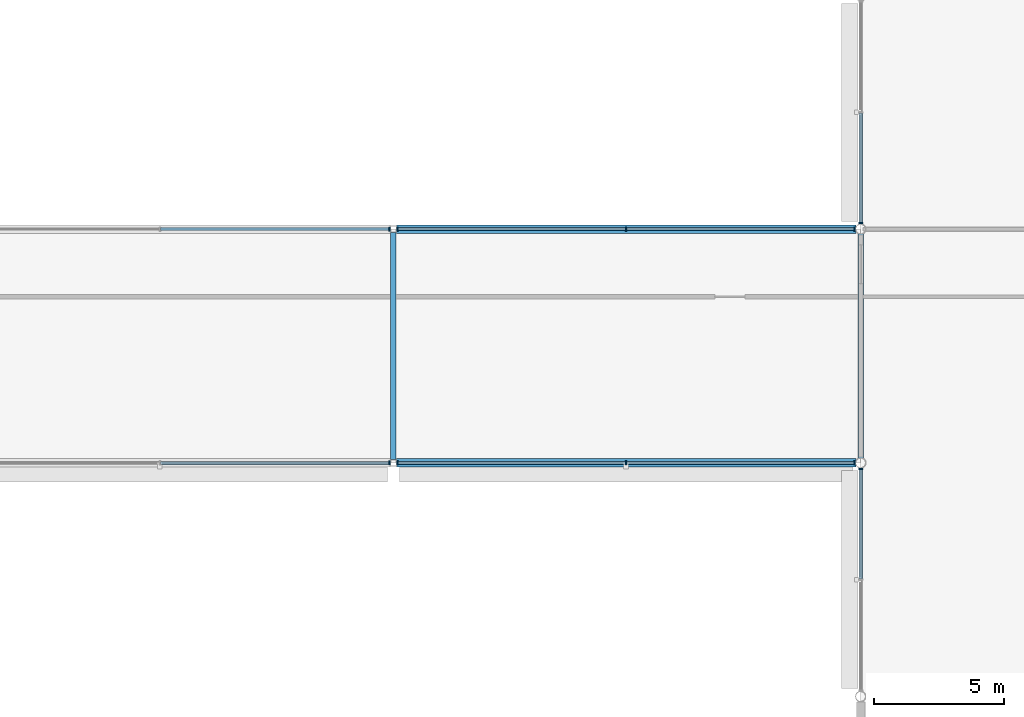
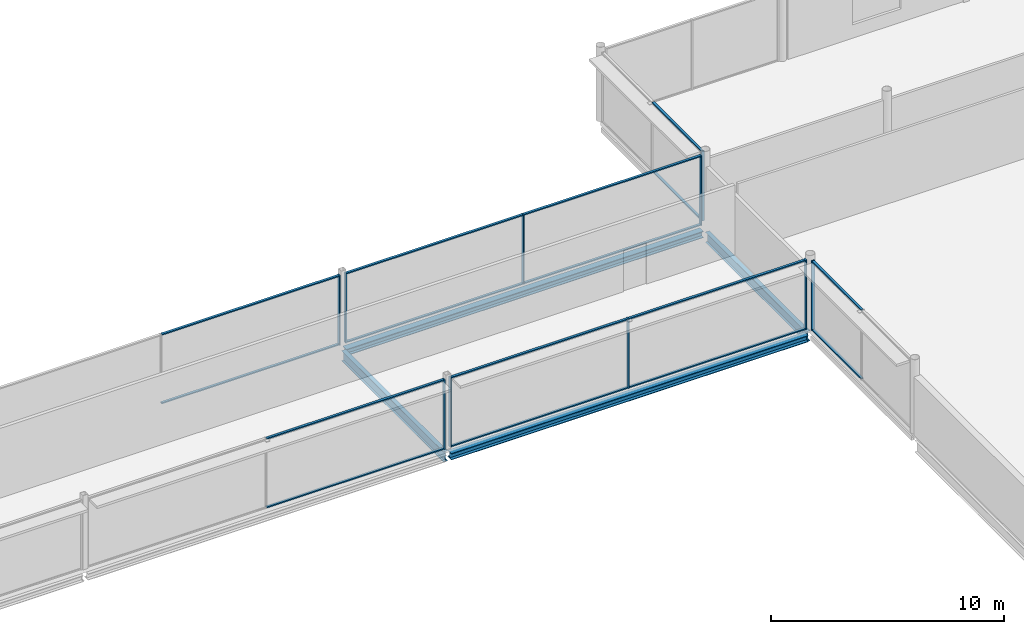
# One storey, part 47 of 96: 26 members, 4 beams, 6 elements without a shape of their own.
"""IFC4 building model written with IfcOpenShell, lengths in metres."""

from ifc_helpers import new_model, si_unit, direction, frame, origin, origin_2d, place, context, subcontext, project, spatial, rectangle, i_section, extrude, material, layer, layer_set, material_profile, profile_set, type_object, element, aggregate, save


model = new_model("IFC4")

# Units and contexts
model_context = context("Model", 3, precision=1e-05, world=origin(), true_north=direction((0.0, 1.0)))
body_context = subcontext(model_context, "Body", "Model", "MODEL_VIEW")
ifc_project = project(units=[si_unit("LENGTHUNIT", "METRE"), si_unit("AREAUNIT", "SQUARE_METRE"), si_unit("VOLUMEUNIT", "CUBIC_METRE"), si_unit("PLANEANGLEUNIT", "RADIAN"), si_unit("MASSUNIT", "GRAM", prefix="KILO")], contexts=[model_context])

# Site, building, storey
site_placement = place(None, origin())
site = spatial("IfcSite", under=ifc_project, at=site_placement, CompositionType="ELEMENT")
building_placement = place(site_placement, origin())
building = spatial("IfcBuilding", under=site, at=building_placement, Name="Kisiwana Market Hall", CompositionType="ELEMENT")
storey_placement = place(building_placement, frame((0.0, 0.0, 25.5)))
storey = spatial("IfcBuildingStorey", under=building, at=storey_placement, Name="L05", CompositionType="ELEMENT", Elevation=25.5)

# Beams
ifc_material_1 = material(Name="Steel S355", Category="steel")
ifc_material_profile_1 = material_profile(ifc_material_1, i_section(OverallWidth=0.209228515625, OverallDepth=0.533203125, WebThickness=0.010009765625, FlangeThickness=0.015625, at=origin_2d()), Name="UB 533x210x92")
ifc_profile_set_1 = profile_set([ifc_material_profile_1], Name="Steel S355")
beam_type_1 = type_object("IfcBeamType", Name="BM-GIRD-UB533", PredefinedType="BEAM", material=ifc_profile_set_1)
beam_1_placement = place(storey_placement, frame((135.0, 93.12109375, -0.531494140625), z_axis=(0.0, 1.0, 0.0), x_axis=(-1.0, 0.0, 0.0)))
element("IfcBeam", 1, at=beam_1_placement, inside=storey, type_object=beam_type_1, Name="Primary girder B-1548", PredefinedType="BEAM", context=body_context, shape_type="SweptSolid", body=[
    extrude(i_section(OverallWidth=0.209228515625, OverallDepth=0.533203125, WebThickness=0.010009765625, FlangeThickness=0.015625, at=origin_2d()), origin(), (0.0, 0.0, 1.0), 8.7578125),
])
beam_2_placement = place(storey_placement, frame((153.0, 93.18017578125, -0.58154296875), z_axis=(0.0, 1.0, 0.0), x_axis=(-1.0, 0.0, 0.0)))
element("IfcBeam", 2, at=beam_2_placement, inside=storey, type_object=beam_type_1, Name="Primary girder B-1550", PredefinedType="BEAM", context=body_context, shape_type="SweptSolid", body=[
    extrude(i_section(OverallWidth=0.209228515625, OverallDepth=0.533203125, WebThickness=0.010009765625, FlangeThickness=0.015625, at=origin_2d()), origin(), (0.0, 0.0, 1.0), 8.6396484375),
])
ifc_material_2 = material(Name="Steel S355", Category="steel")
ifc_material_profile_2 = material_profile(ifc_material_2, i_section(OverallWidth=0.314453125, OverallDepth=0.33984375, WebThickness=0.01904296875, FlangeThickness=0.031494140625, at=origin_2d()), Name="UC 305x305x198")
ifc_profile_set_2 = profile_set([ifc_material_profile_2], Name="Steel S355")
beam_type_2 = type_object("IfcBeamType", Name="BM-SKYBR-CHORD", PredefinedType="BEAM", material=ifc_profile_set_2)
for number, where, z_axis, x_axis, name in (
    (3, (135.12109375, 93.0, -0.43505859375), (1.0, 0.0, 0.0), (0.0, 1.0, 0.0), "Floor beam B-1646"),
    (4, (135.12109375, 102.0, -0.43505859375), (1.0, 0.0, 0.0), (0.0, 1.0, 0.0), "Floor beam B-1656"),
):
    element("IfcBeam", number, at=place(storey_placement, frame(where, z_axis=z_axis, x_axis=x_axis)), inside=storey, type_object=beam_type_2, Name=name, PredefinedType="BEAM", context=body_context, shape_type="SweptSolid", body=[
        extrude(i_section(OverallWidth=0.314453125, OverallDepth=0.33984375, WebThickness=0.01904296875, FlangeThickness=0.031494140625, at=origin_2d()), origin(), (0.0, 0.0, 1.0), 17.696533203125),
    ])

# Curtain wall, member
ifc_material_3 = material(Name="Double-glazed solar-control low-E IGU", Category="glass")
ifc_layer = layer(ifc_material_3, 0.159912109375)
ifc_layer_set = layer_set([ifc_layer], Name="CW-ZNA-EW-8200")
curtain_wall_type = type_object("IfcCurtainWallType", Name="CW-ZNA-EW-8200", PredefinedType="USERDEFINED", material=ifc_layer_set)
curtain_wall_1_placement = place(storey_placement, origin())
curtain_wall_1 = element("IfcCurtainWall", 5, at=curtain_wall_1_placement, inside=storey, type_object=curtain_wall_type, Name="Unitised curtain wall CW-148 (L05)", ObjectType="UNITISED CURTAIN WALL", PredefinedType="USERDEFINED")
ifc_material_4 = material(Name="Aluminium alloy 6063-T6", Category="aluminium")
ifc_material_profile_3 = material_profile(ifc_material_4, rectangle(XDim=0.06005859375, YDim=0.159912109375, at=origin_2d()), Name="ALU MULLION 60x160")
ifc_profile_set_3 = profile_set([ifc_material_profile_3], Name="Aluminium alloy 6063-T6")
member_type_1 = type_object("IfcMemberType", Name="CW-MULL-60x160", PredefinedType="MULLION", material=ifc_profile_set_3)
member_1_placement = place(storey_placement, frame((134.844970703125, 93.0, 0.0), z_axis=(0.0, 0.0, 1.0), x_axis=(1.0, 0.0, 0.0)))
member_1 = element("IfcMember", 6, at=member_1_placement, type_object=member_type_1, Name="CW-148 mullion 3", PredefinedType="MULLION", context=body_context, shape_type="SweptSolid", body=[
    extrude(rectangle(XDim=0.06005859375, YDim=0.159912109375, at=origin_2d()), origin(), (0.0, 0.0, 1.0), 3.655029296875),
])

# Curtain wall, members
curtain_wall_2_placement = place(storey_placement, origin())
curtain_wall_2 = element("IfcCurtainWall", 7, at=curtain_wall_2_placement, inside=storey, type_object=curtain_wall_type, Name="Unitised curtain wall CW-149 (L05)", ObjectType="UNITISED CURTAIN WALL", PredefinedType="USERDEFINED")
member_2_placement = place(storey_placement, frame((135.155029296875, 93.0, 0.0), z_axis=(0.0, 0.0, 1.0), x_axis=(1.0, 0.0, 0.0)))
member_2 = element("IfcMember", 8, at=member_2_placement, type_object=member_type_1, Name="CW-149 mullion 1", PredefinedType="MULLION", context=body_context, shape_type="SweptSolid", body=[
    extrude(rectangle(XDim=0.06005859375, YDim=0.159912109375, at=origin_2d()), origin(), (0.0, 0.0, 1.0), 3.655029296875),
])
member_3_placement = place(storey_placement, frame((143.9609375, 93.0, 0.0), z_axis=(0.0, 0.0, 1.0), x_axis=(1.0, 0.0, 0.0)))
member_3 = element("IfcMember", 9, at=member_3_placement, type_object=member_type_1, Name="CW-149 mullion 2", PredefinedType="MULLION", context=body_context, shape_type="SweptSolid", body=[
    extrude(rectangle(XDim=0.06005859375, YDim=0.159912109375, at=origin_2d()), origin(), (0.0, 0.0, 1.0), 3.655029296875),
])
member_4_placement = place(storey_placement, frame((152.766845703125, 93.0, 0.0), z_axis=(0.0, 0.0, 1.0), x_axis=(1.0, 0.0, 0.0)))
member_4 = element("IfcMember", 10, at=member_4_placement, type_object=member_type_1, Name="CW-149 mullion 3", PredefinedType="MULLION", context=body_context, shape_type="SweptSolid", body=[
    extrude(rectangle(XDim=0.06005859375, YDim=0.159912109375, at=origin_2d()), origin(), (0.0, 0.0, 1.0), 3.655029296875),
])

# Curtain wall, member
curtain_wall_3_placement = place(storey_placement, origin())
curtain_wall_3 = element("IfcCurtainWall", 11, at=curtain_wall_3_placement, inside=storey, type_object=curtain_wall_type, Name="Unitised curtain wall CW-154 (L05)", ObjectType="UNITISED CURTAIN WALL", PredefinedType="USERDEFINED")
member_5_placement = place(storey_placement, frame((134.844970703125, 102.0, 0.0), z_axis=(0.0, 0.0, 1.0), x_axis=(1.0, 0.0, 0.0)))
member_5 = element("IfcMember", 12, at=member_5_placement, type_object=member_type_1, Name="CW-154 mullion 3", PredefinedType="MULLION", context=body_context, shape_type="SweptSolid", body=[
    extrude(rectangle(XDim=0.06005859375, YDim=0.159912109375, at=origin_2d()), origin(), (0.0, 0.0, 1.0), 3.655029296875),
])

# Curtain wall, members
curtain_wall_4_placement = place(storey_placement, origin())
curtain_wall_4 = element("IfcCurtainWall", 13, at=curtain_wall_4_placement, inside=storey, type_object=curtain_wall_type, Name="Unitised curtain wall CW-155 (L05)", ObjectType="UNITISED CURTAIN WALL", PredefinedType="USERDEFINED")
member_6_placement = place(storey_placement, frame((135.155029296875, 102.0, 0.0), z_axis=(0.0, 0.0, 1.0), x_axis=(1.0, 0.0, 0.0)))
member_6 = element("IfcMember", 14, at=member_6_placement, type_object=member_type_1, Name="CW-155 mullion 1", PredefinedType="MULLION", context=body_context, shape_type="SweptSolid", body=[
    extrude(rectangle(XDim=0.06005859375, YDim=0.159912109375, at=origin_2d()), origin(), (0.0, 0.0, 1.0), 3.655029296875),
])
member_7_placement = place(storey_placement, frame((143.9609375, 102.0, 0.0), z_axis=(0.0, 0.0, 1.0), x_axis=(1.0, 0.0, 0.0)))
member_7 = element("IfcMember", 15, at=member_7_placement, type_object=member_type_1, Name="CW-155 mullion 2", PredefinedType="MULLION", context=body_context, shape_type="SweptSolid", body=[
    extrude(rectangle(XDim=0.06005859375, YDim=0.159912109375, at=origin_2d()), origin(), (0.0, 0.0, 1.0), 3.655029296875),
])
member_8_placement = place(storey_placement, frame((152.766845703125, 102.0, 0.0), z_axis=(0.0, 0.0, 1.0), x_axis=(1.0, 0.0, 0.0)))
member_8 = element("IfcMember", 16, at=member_8_placement, type_object=member_type_1, Name="CW-155 mullion 3", PredefinedType="MULLION", context=body_context, shape_type="SweptSolid", body=[
    extrude(rectangle(XDim=0.06005859375, YDim=0.159912109375, at=origin_2d()), origin(), (0.0, 0.0, 1.0), 3.655029296875),
])

# Curtain wall, member
curtain_wall_5_placement = place(storey_placement, origin())
curtain_wall_5 = element("IfcCurtainWall", 17, at=curtain_wall_5_placement, inside=storey, type_object=curtain_wall_type, Name="Unitised curtain wall CW-166 (L05)", ObjectType="UNITISED CURTAIN WALL", PredefinedType="USERDEFINED")
member_9_placement = place(storey_placement, frame((153.0, 92.766845703125, 0.0), z_axis=(0.0, 0.0, 1.0), x_axis=(0.0, 1.0, 0.0)))
member_9 = element("IfcMember", 18, at=member_9_placement, type_object=member_type_1, Name="CW-166 mullion 3", PredefinedType="MULLION", context=body_context, shape_type="SweptSolid", body=[
    extrude(rectangle(XDim=0.06005859375, YDim=0.159912109375, at=origin_2d()), origin(), (0.0, 0.0, 1.0), 3.655029296875),
])

curtain_wall_6_placement = place(storey_placement, origin())
curtain_wall_6 = element("IfcCurtainWall", 19, at=curtain_wall_6_placement, inside=storey, type_object=curtain_wall_type, Name="Unitised curtain wall CW-167 (L05)", ObjectType="UNITISED CURTAIN WALL", PredefinedType="USERDEFINED")
member_10_placement = place(storey_placement, frame((153.0, 102.233154296875, 0.0), z_axis=(0.0, 0.0, 1.0), x_axis=(0.0, 1.0, 0.0)))
member_10 = element("IfcMember", 20, at=member_10_placement, type_object=member_type_1, Name="CW-167 mullion 1", PredefinedType="MULLION", context=body_context, shape_type="SweptSolid", body=[
    extrude(rectangle(XDim=0.06005859375, YDim=0.159912109375, at=origin_2d()), origin(), (0.0, 0.0, 1.0), 3.655029296875),
])

# Member
ifc_material_5 = material(Name="Aluminium alloy 6063-T6", Category="aluminium")
ifc_material_profile_4 = material_profile(ifc_material_5, rectangle(XDim=0.1201171875, YDim=0.06005859375, at=origin_2d()), Name="ALU TRANSOM 60x120")
ifc_profile_set_4 = profile_set([ifc_material_profile_4], Name="Aluminium alloy 6063-T6")
member_type_2 = type_object("IfcMemberType", Name="CW-TRAN-60x120", PredefinedType="USERDEFINED", material=ifc_profile_set_4)
member_11_placement = place(storey_placement, frame((126.030029296875, 93.0, 0.030029296875), z_axis=(1.0, 0.0, 0.0), x_axis=(0.0, 1.0, 0.0)))
member_11 = element("IfcMember", 21, at=member_11_placement, type_object=member_type_2, Name="CW-148 transom 2.1", ObjectType="TRANSOM", PredefinedType="USERDEFINED", context=body_context, shape_type="SweptSolid", body=[
    extrude(rectangle(XDim=0.1201171875, YDim=0.06005859375, at=origin_2d()), origin(), (0.0, 0.0, 1.0), 8.784912109375),
])

member_12_placement = place(storey_placement, frame((126.030029296875, 93.0, 3.625), z_axis=(1.0, 0.0, 0.0), x_axis=(0.0, 1.0, 0.0)))
member_12 = element("IfcMember", 22, at=member_12_placement, type_object=member_type_2, Name="CW-148 transom 2.2", ObjectType="TRANSOM", PredefinedType="USERDEFINED", context=body_context, shape_type="SweptSolid", body=[
    extrude(rectangle(XDim=0.1201171875, YDim=0.06005859375, at=origin_2d()), origin(), (0.0, 0.0, 1.0), 8.784912109375),
])

aggregate(curtain_wall_1, [member_1, member_11, member_12])

member_13_placement = place(storey_placement, frame((135.18505859375, 93.0, 0.030029296875), z_axis=(1.0, 0.0, 0.0), x_axis=(0.0, 1.0, 0.0)))
member_13 = element("IfcMember", 23, at=member_13_placement, type_object=member_type_2, Name="CW-149 transom 1.1", ObjectType="TRANSOM", PredefinedType="USERDEFINED", context=body_context, shape_type="SweptSolid", body=[
    extrude(rectangle(XDim=0.1201171875, YDim=0.06005859375, at=origin_2d()), origin(), (0.0, 0.0, 1.0), 8.745849609375),
])

member_14_placement = place(storey_placement, frame((135.18505859375, 93.0, 3.625), z_axis=(1.0, 0.0, 0.0), x_axis=(0.0, 1.0, 0.0)))
member_14 = element("IfcMember", 24, at=member_14_placement, type_object=member_type_2, Name="CW-149 transom 1.2", ObjectType="TRANSOM", PredefinedType="USERDEFINED", context=body_context, shape_type="SweptSolid", body=[
    extrude(rectangle(XDim=0.1201171875, YDim=0.06005859375, at=origin_2d()), origin(), (0.0, 0.0, 1.0), 8.745849609375),
])

member_15_placement = place(storey_placement, frame((143.990966796875, 93.0, 0.030029296875), z_axis=(1.0, 0.0, 0.0), x_axis=(0.0, 1.0, 0.0)))
member_15 = element("IfcMember", 25, at=member_15_placement, type_object=member_type_2, Name="CW-149 transom 2.1", ObjectType="TRANSOM", PredefinedType="USERDEFINED", context=body_context, shape_type="SweptSolid", body=[
    extrude(rectangle(XDim=0.1201171875, YDim=0.06005859375, at=origin_2d()), origin(), (0.0, 0.0, 1.0), 8.745849609375),
])

member_16_placement = place(storey_placement, frame((143.990966796875, 93.0, 3.625), z_axis=(1.0, 0.0, 0.0), x_axis=(0.0, 1.0, 0.0)))
member_16 = element("IfcMember", 26, at=member_16_placement, type_object=member_type_2, Name="CW-149 transom 2.2", ObjectType="TRANSOM", PredefinedType="USERDEFINED", context=body_context, shape_type="SweptSolid", body=[
    extrude(rectangle(XDim=0.1201171875, YDim=0.06005859375, at=origin_2d()), origin(), (0.0, 0.0, 1.0), 8.745849609375),
])

aggregate(curtain_wall_2, [member_2, member_3, member_4, member_13, member_14, member_15, member_16])

member_17_placement = place(storey_placement, frame((126.030029296875, 102.0, 0.030029296875), z_axis=(1.0, 0.0, 0.0), x_axis=(0.0, 1.0, 0.0)))
member_17 = element("IfcMember", 27, at=member_17_placement, type_object=member_type_2, Name="CW-154 transom 2.1", ObjectType="TRANSOM", PredefinedType="USERDEFINED", context=body_context, shape_type="SweptSolid", body=[
    extrude(rectangle(XDim=0.1201171875, YDim=0.06005859375, at=origin_2d()), origin(), (0.0, 0.0, 1.0), 8.784912109375),
])

member_18_placement = place(storey_placement, frame((126.030029296875, 102.0, 3.625), z_axis=(1.0, 0.0, 0.0), x_axis=(0.0, 1.0, 0.0)))
member_18 = element("IfcMember", 28, at=member_18_placement, type_object=member_type_2, Name="CW-154 transom 2.2", ObjectType="TRANSOM", PredefinedType="USERDEFINED", context=body_context, shape_type="SweptSolid", body=[
    extrude(rectangle(XDim=0.1201171875, YDim=0.06005859375, at=origin_2d()), origin(), (0.0, 0.0, 1.0), 8.784912109375),
])

aggregate(curtain_wall_3, [member_5, member_17, member_18])

member_19_placement = place(storey_placement, frame((135.18505859375, 102.0, 0.030029296875), z_axis=(1.0, 0.0, 0.0), x_axis=(0.0, 1.0, 0.0)))
member_19 = element("IfcMember", 29, at=member_19_placement, type_object=member_type_2, Name="CW-155 transom 1.1", ObjectType="TRANSOM", PredefinedType="USERDEFINED", context=body_context, shape_type="SweptSolid", body=[
    extrude(rectangle(XDim=0.1201171875, YDim=0.06005859375, at=origin_2d()), origin(), (0.0, 0.0, 1.0), 8.745849609375),
])

member_20_placement = place(storey_placement, frame((135.18505859375, 102.0, 3.625), z_axis=(1.0, 0.0, 0.0), x_axis=(0.0, 1.0, 0.0)))
member_20 = element("IfcMember", 30, at=member_20_placement, type_object=member_type_2, Name="CW-155 transom 1.2", ObjectType="TRANSOM", PredefinedType="USERDEFINED", context=body_context, shape_type="SweptSolid", body=[
    extrude(rectangle(XDim=0.1201171875, YDim=0.06005859375, at=origin_2d()), origin(), (0.0, 0.0, 1.0), 8.745849609375),
])

member_21_placement = place(storey_placement, frame((143.990966796875, 102.0, 0.030029296875), z_axis=(1.0, 0.0, 0.0), x_axis=(0.0, 1.0, 0.0)))
member_21 = element("IfcMember", 31, at=member_21_placement, type_object=member_type_2, Name="CW-155 transom 2.1", ObjectType="TRANSOM", PredefinedType="USERDEFINED", context=body_context, shape_type="SweptSolid", body=[
    extrude(rectangle(XDim=0.1201171875, YDim=0.06005859375, at=origin_2d()), origin(), (0.0, 0.0, 1.0), 8.745849609375),
])

member_22_placement = place(storey_placement, frame((143.990966796875, 102.0, 3.625), z_axis=(1.0, 0.0, 0.0), x_axis=(0.0, 1.0, 0.0)))
member_22 = element("IfcMember", 32, at=member_22_placement, type_object=member_type_2, Name="CW-155 transom 2.2", ObjectType="TRANSOM", PredefinedType="USERDEFINED", context=body_context, shape_type="SweptSolid", body=[
    extrude(rectangle(XDim=0.1201171875, YDim=0.06005859375, at=origin_2d()), origin(), (0.0, 0.0, 1.0), 8.745849609375),
])

aggregate(curtain_wall_4, [member_6, member_7, member_8, member_19, member_20, member_21, member_22])

member_23_placement = place(storey_placement, frame((153.0, 88.530029296875, 0.030029296875), z_axis=(0.0, 1.0, 0.0), x_axis=(-1.0, 0.0, 0.0)))
member_23 = element("IfcMember", 33, at=member_23_placement, type_object=member_type_2, Name="CW-166 transom 2.1", ObjectType="TRANSOM", PredefinedType="USERDEFINED", context=body_context, shape_type="SweptSolid", body=[
    extrude(rectangle(XDim=0.1201171875, YDim=0.06005859375, at=origin_2d()), origin(), (0.0, 0.0, 1.0), 4.206787109375),
])

member_24_placement = place(storey_placement, frame((153.0, 88.530029296875, 3.625), z_axis=(0.0, 1.0, 0.0), x_axis=(-1.0, 0.0, 0.0)))
member_24 = element("IfcMember", 34, at=member_24_placement, type_object=member_type_2, Name="CW-166 transom 2.2", ObjectType="TRANSOM", PredefinedType="USERDEFINED", context=body_context, shape_type="SweptSolid", body=[
    extrude(rectangle(XDim=0.1201171875, YDim=0.06005859375, at=origin_2d()), origin(), (0.0, 0.0, 1.0), 4.206787109375),
])

aggregate(curtain_wall_5, [member_9, member_23, member_24])

member_25_placement = place(storey_placement, frame((153.0, 102.26318359375, 0.030029296875), z_axis=(0.0, 1.0, 0.0), x_axis=(-1.0, 0.0, 0.0)))
member_25 = element("IfcMember", 35, at=member_25_placement, type_object=member_type_2, Name="CW-167 transom 1.1", ObjectType="TRANSOM", PredefinedType="USERDEFINED", context=body_context, shape_type="SweptSolid", body=[
    extrude(rectangle(XDim=0.1201171875, YDim=0.06005859375, at=origin_2d()), origin(), (0.0, 0.0, 1.0), 4.206787109375),
])

member_26_placement = place(storey_placement, frame((153.0, 102.26318359375, 3.625), z_axis=(0.0, 1.0, 0.0), x_axis=(-1.0, 0.0, 0.0)))
member_26 = element("IfcMember", 36, at=member_26_placement, type_object=member_type_2, Name="CW-167 transom 1.2", ObjectType="TRANSOM", PredefinedType="USERDEFINED", context=body_context, shape_type="SweptSolid", body=[
    extrude(rectangle(XDim=0.1201171875, YDim=0.06005859375, at=origin_2d()), origin(), (0.0, 0.0, 1.0), 4.206787109375),
])

aggregate(curtain_wall_6, [member_10, member_25, member_26])

save(model, "model.ifc")
